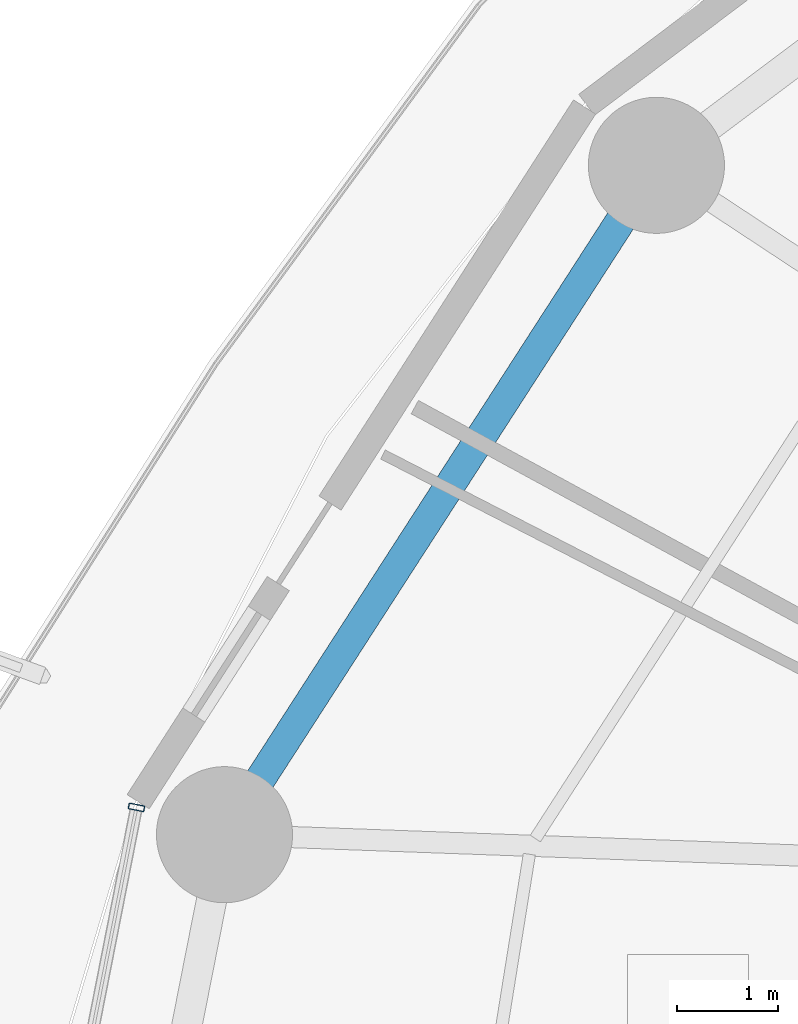
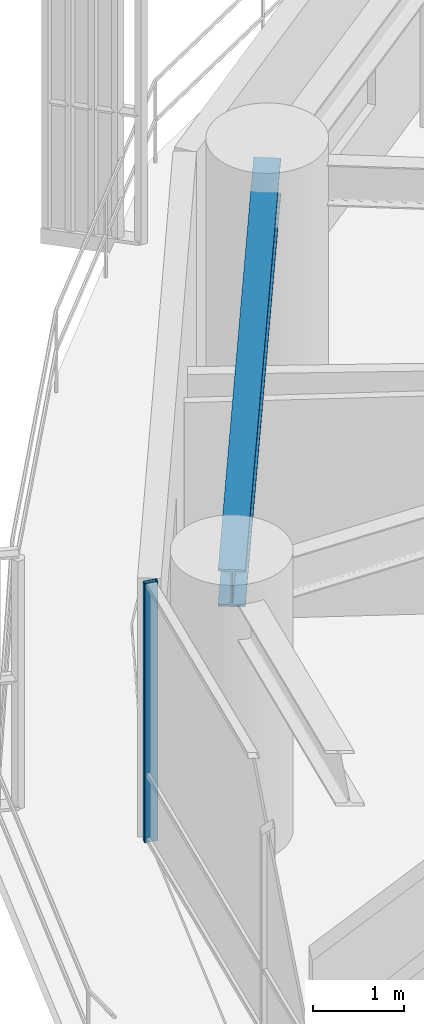
# One storey, part 18 of 36: 1 beam, 1 member, 1 element without a shape of its own.
"""IFC4 building model written with IfcOpenShell, lengths in metres."""

from ifc_helpers import new_model, si_unit, direction, frame, origin, origin_2d, place, context, subcontext, project, spatial, hollow_rectangle, i_section, extrude, material, layer, layer_set, material_profile, profile_set, type_object, element, aggregate, save


model = new_model("IFC4")

# Units and contexts
model_context = context("Model", 3, precision=1e-05, world=origin(), true_north=direction((0.0, 1.0)))
body_context = subcontext(model_context, "Body", "Model", "MODEL_VIEW")
ifc_project = project(units=[si_unit("LENGTHUNIT", "METRE"), si_unit("AREAUNIT", "SQUARE_METRE"), si_unit("VOLUMEUNIT", "CUBIC_METRE"), si_unit("PLANEANGLEUNIT", "RADIAN"), si_unit("MASSUNIT", "GRAM", prefix="KILO")], contexts=[model_context])

# Site, building, storey
site_placement = place(None, origin())
site = spatial("IfcSite", under=ifc_project, at=site_placement, CompositionType="ELEMENT")
building_placement = place(site_placement, origin())
building = spatial("IfcBuilding", under=site, at=building_placement, Name="Kelanora Arch Commons", CompositionType="ELEMENT")
storey_placement = place(building_placement, frame((0.0, 0.0, 102.60009765625)))
storey = spatial("IfcBuildingStorey", under=building, at=storey_placement, Name="L26", CompositionType="ELEMENT", Elevation=102.60009765625)

# Beam
ifc_material_1 = material(Name="Steel S355", Category="steel")
ifc_material_profile_1 = material_profile(ifc_material_1, i_section(OverallWidth=0.300048828125, OverallDepth=0.5, WebThickness=0.014404296875, FlangeThickness=0.028076171875, FilletRadius=0.027099609375, at=origin_2d()), Name="HEB500")
ifc_profile_set_1 = profile_set([ifc_material_profile_1], Name="Steel S355")
beam_type = type_object("IfcBeamType", Name="BM-SPN-Z2", PredefinedType="SPANDREL", material=ifc_profile_set_1)
beam_placement = place(storey_placement, frame((55.093994140625, 72.19287109375, 3.239990234375), z_axis=(-0.542221144054, -0.840235818649, 0.0), x_axis=(0.840235818649, -0.542221144054, 0.0)))
element("IfcBeam", 1, at=beam_placement, inside=storey, type_object=beam_type, Name="Perimeter Spandrel Beam BS-14 L26", PredefinedType="SPANDREL", context=body_context, shape_type="SweptSolid", body=[
    extrude(i_section(OverallWidth=0.300048828125, OverallDepth=0.5, WebThickness=0.014404296875, FlangeThickness=0.028076171875, FilletRadius=0.027099609375, at=origin_2d()), origin(), (0.0, 0.0, 1.0), 7.90380859375),
])

# Curtain wall, member
ifc_material_2 = material(Name="Terracotta ceramic-fritted low-E glass and aluminium", Category="masonry")
ifc_layer = layer(ifc_material_2, 0.159912109375)
ifc_layer_set = layer_set([ifc_layer], Name="Terracotta ceramic-fritted low-E glass and aluminium")
curtain_wall_type = type_object("IfcCurtainWallType", Name="CW-SYS-01", PredefinedType="NOTDEFINED", material=ifc_layer_set)
curtain_wall_placement = place(storey_placement, origin())
curtain_wall = element("IfcCurtainWall", 2, at=curtain_wall_placement, inside=storey, type_object=curtain_wall_type, Name="Unitised Curtain Wall L26-B08", PredefinedType="NOTDEFINED")
ifc_material_3 = material(Name="Powder-coated aluminium terracotta", Category="masonry")
ifc_material_profile_2 = material_profile(ifc_material_3, hollow_rectangle(XDim=0.159912109375, YDim=0.06005859375, WallThickness=0.0048828125, InnerFilletRadius=0.0048828125, OuterFilletRadius=0.010009765625, at=origin_2d()), Name="CWM160x60")
ifc_profile_set_2 = profile_set([ifc_material_profile_2], Name="Powder-coated aluminium terracotta")
member_type = type_object("IfcMemberType", Name="CWM-STD", PredefinedType="MULLION", material=ifc_profile_set_2)
member_placement = place(storey_placement, frame((49.935302734375, 65.822265625, 0.0), z_axis=(0.0, 0.0, 1.0), x_axis=(0.981280311646, -0.192584916272, 0.0)))
member = element("IfcMember", 3, at=member_placement, type_object=member_type, Name="CW-01 mullion 1", PredefinedType="MULLION", context=body_context, shape_type="SweptSolid", body=[
    extrude(hollow_rectangle(XDim=0.159912109375, YDim=0.06005859375, WallThickness=0.0048828125, InnerFilletRadius=0.0048828125, OuterFilletRadius=0.010009765625, at=origin_2d()), origin(), (0.0, 0.0, 1.0), 3.474853515625),
])
aggregate(curtain_wall, [member])

save(model, "model.ifc")
